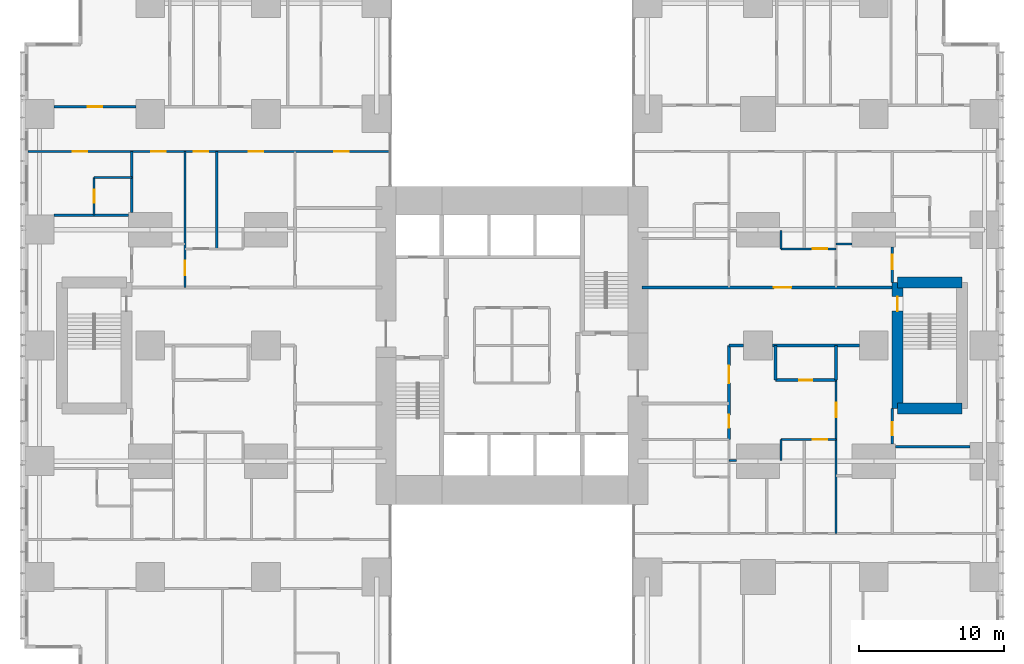
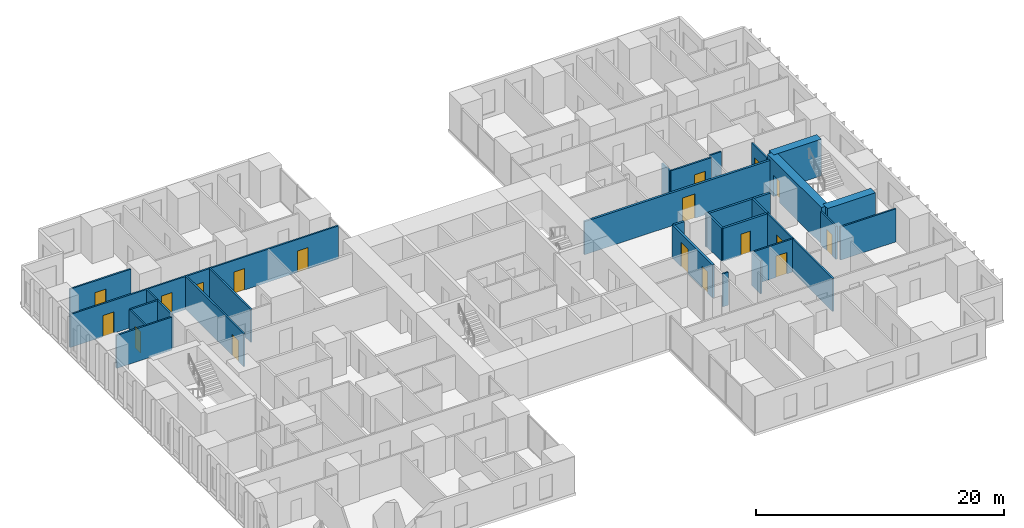
# One storey, part 16 of 20: 28 walls, 18 doors, 18 openings.
"""IFC4 building model written with IfcOpenShell, lengths in metres."""

from ifc_helpers import new_model, si_unit, direction, frame, frame_2d, origin, place, context, subcontext, project, spatial, rectangle, extrude, material, layer, layer_set, type_object, element, fill, save


model = new_model("IFC4")

# Units and contexts
model_context = context("Model", 3, precision=1e-05, world=origin(), true_north=direction((0.0, 1.0)))
body_context = subcontext(model_context, "Body", "Model", "MODEL_VIEW")
ifc_project = project(units=[si_unit("LENGTHUNIT", "METRE"), si_unit("AREAUNIT", "SQUARE_METRE"), si_unit("VOLUMEUNIT", "CUBIC_METRE"), si_unit("PLANEANGLEUNIT", "RADIAN"), si_unit("MASSUNIT", "GRAM", prefix="KILO")], contexts=[model_context])

# Site, building, storey
site_placement = place(None, origin())
site = spatial("IfcSite", under=ifc_project, at=site_placement, CompositionType="ELEMENT")
building_placement = place(site_placement, origin())
building = spatial("IfcBuilding", under=site, at=building_placement, Name="Cleftline Residences", CompositionType="ELEMENT")
storey_placement = place(building_placement, frame((0.0, 0.0, 168.199951171875)))
storey = spatial("IfcBuildingStorey", under=building, at=storey_placement, Name="L44", CompositionType="ELEMENT", Elevation=168.199951171875)

# Wall, opening, door
ifc_material_1 = material(Name="Concrete blockwork, fire rated", Category="masonry")
ifc_layer_1 = layer(ifc_material_1, 0.199951171875)
ifc_layer_set_1 = layer_set([ifc_layer_1], Name="FIRE WALL 200")
wall_type_1 = type_object("IfcWallType", Name="FIRE WALL 200", PredefinedType="PARTITIONING", material=ifc_layer_set_1)
wall_1_placement = place(storey_placement, frame((51.199951171875, 21.60009765625, 0.0), z_axis=(0.0, 0.0, 1.0), x_axis=(1.0, 0.0, 0.0)))
wall_1 = element("IfcWall", 1, at=wall_1_placement, inside=storey, type_object=wall_type_1, Name="Fire separating wall", PredefinedType="PARTITIONING", context=body_context, shape_type="SweptSolid", body=[
    extrude(rectangle(XDim=4.199951171875, YDim=0.199951171875, at=frame_2d((2.10009765625, 0.0))), origin(), (0.0, 0.0, 1.0), 3.25),
])
opening_1_placement = place(wall_1_placement, frame((1.64990234375, 0.0, 0.0)))
opening_1 = element("IfcOpeningElement", 2, at=opening_1_placement, cuts=wall_1, Name="Opening D1F30", PredefinedType="OPENING", context=body_context, shape_type="SweptSolid", body=[
    extrude(rectangle(XDim=0.89990234375, YDim=2.10009765625, at=frame_2d((0.449951171875, 1.050048828125))), frame((0.0, 0.10986328125, 0.0), z_axis=(0.0, -1.0, 0.0), x_axis=(1.0, 0.0, 0.0)), (0.0, 0.0, 1.0), 0.219970703125),
])
ifc_material_2 = material(Name="Timber veneer on solid core", Category="wood")
door_type_1 = type_object("IfcDoorType", Name="DOOR 900X2100 EI 30", OperationType="SINGLE_SWING_LEFT", PredefinedType="DOOR", material=ifc_material_2)
door_1_placement = place(opening_1_placement, origin())
door_1 = element("IfcDoor", 3, at=door_1_placement, inside=storey, type_object=door_type_1, Name="Door to cloakroom wc", OperationType="SINGLE_SWING_LEFT", OverallHeight=2.10009765625, OverallWidth=0.89990234375, PredefinedType="DOOR", context=body_context, shape_type="SweptSolid", body=[
    extrude(rectangle(XDim=0.89990234375, YDim=2.10009765625, at=frame_2d((0.449951171875, 1.050048828125))), frame((0.0, 0.02490234375, 0.0), z_axis=(0.0, -1.0, 0.0), x_axis=(1.0, 0.0, 0.0)), (0.0, 0.0, 1.0), 0.050048828125),
])
fill(opening_1, door_1)

# Walls
wall_2_placement = place(storey_placement, frame((48.0, 24.0, 0.0), z_axis=(0.0, 0.0, 1.0), x_axis=(1.0, 0.0, 0.0)))
element("IfcWall", 4, at=wall_2_placement, inside=storey, type_object=wall_type_1, Name="Fire separating wall", PredefinedType="PARTITIONING", context=body_context, shape_type="SweptSolid", body=[
    extrude(rectangle(XDim=1.0, YDim=0.199951171875, at=frame_2d((0.5, 0.0))), origin(), (0.0, 0.0, 1.0), 3.25),
])
wall_3_placement = place(storey_placement, frame((51.0, 24.0, 0.0), z_axis=(0.0, 0.0, 1.0), x_axis=(1.0, 0.0, 0.0)))
element("IfcWall", 5, at=wall_3_placement, inside=storey, type_object=wall_type_1, Name="Fire separating wall", PredefinedType="PARTITIONING", context=body_context, shape_type="SweptSolid", body=[
    extrude(rectangle(XDim=6.0, YDim=0.199951171875, at=frame_2d((3.0, 0.0))), origin(), (0.0, 0.0, 1.0), 3.25),
])

# Wall, opening, door
wall_4_placement = place(storey_placement, frame((42.0, 28.0, 0.0), z_axis=(0.0, 0.0, 1.0), x_axis=(1.0, 0.0, 0.0)))
wall_4 = element("IfcWall", 6, at=wall_4_placement, inside=storey, type_object=wall_type_1, Name="Fire separating wall", PredefinedType="PARTITIONING", context=body_context, shape_type="SweptSolid", body=[
    extrude(rectangle(XDim=17.27490234375, YDim=0.199951171875, at=frame_2d((8.637451171875, 0.0))), origin(), (0.0, 0.0, 1.0), 3.25),
])
opening_2_placement = place(wall_4_placement, frame((9.10009765625, 0.0, 0.0)))
opening_2 = element("IfcOpeningElement", 7, at=opening_2_placement, cuts=wall_4, Name="Opening D4", PredefinedType="OPENING", context=body_context, shape_type="SweptSolid", body=[
    extrude(rectangle(XDim=1.199951171875, YDim=2.39990234375, at=frame_2d((0.60009765625, 1.199951171875))), frame((0.0, 0.10986328125, 0.0), z_axis=(0.0, -1.0, 0.0), x_axis=(1.0, 0.0, 0.0)), (0.0, 0.0, 1.0), 0.219970703125),
])
ifc_material_3 = material(Name="Timber veneer on solid core", Category="wood")
door_type_2 = type_object("IfcDoorType", Name="APARTMENT ENTRANCE DOOR 1200X2400", OperationType="SINGLE_SWING_RIGHT", PredefinedType="DOOR", material=ifc_material_3)
door_2_placement = place(opening_2_placement, origin())
door_2 = element("IfcDoor", 8, at=door_2_placement, inside=storey, type_object=door_type_2, Name="Door to residence entrance (gallery)", OperationType="SINGLE_SWING_LEFT", OverallHeight=2.39990234375, OverallWidth=1.199951171875, PredefinedType="DOOR", context=body_context, shape_type="SweptSolid", body=[
    extrude(rectangle(XDim=1.199951171875, YDim=2.39990234375, at=frame_2d((0.60009765625, 1.199951171875))), frame((0.0, 0.02490234375, 0.0), z_axis=(0.0, -1.0, 0.0), x_axis=(1.0, 0.0, 0.0)), (0.0, 0.0, 1.0), 0.050048828125),
])
fill(opening_2, door_2)

# Wall, openings, doors
wall_5_placement = place(storey_placement, frame((48.0, 17.5, 0.0), z_axis=(0.0, 0.0, 1.0), x_axis=(0.0, 1.0, 0.0)))
wall_5 = element("IfcWall", 9, at=wall_5_placement, inside=storey, type_object=wall_type_1, Name="Fire separating wall", PredefinedType="PARTITIONING", context=body_context, shape_type="SweptSolid", body=[
    extrude(rectangle(XDim=6.5, YDim=0.199951171875, at=frame_2d((3.25, 0.0))), origin(), (0.0, 0.0, 1.0), 3.25),
])
opening_3_placement = place(wall_5_placement, frame((3.89990234375, 0.0, 0.0)))
opening_3 = element("IfcOpeningElement", 10, at=opening_3_placement, cuts=wall_5, Name="Opening D4", PredefinedType="OPENING", context=body_context, shape_type="SweptSolid", body=[
    extrude(rectangle(XDim=1.199951171875, YDim=2.39990234375, at=frame_2d((0.60009765625, 1.199951171875))), frame((0.0, 0.10986328125, 0.0), z_axis=(0.0, -1.0, 0.0), x_axis=(1.0, 0.0, 0.0)), (0.0, 0.0, 1.0), 0.219970703125),
])
opening_4_placement = place(wall_5_placement, frame((0.800048828125, 0.0, 0.0)))
opening_4 = element("IfcOpeningElement", 11, at=opening_4_placement, cuts=wall_5, Name="Opening D1F30", PredefinedType="OPENING", context=body_context, shape_type="SweptSolid", body=[
    extrude(rectangle(XDim=0.89990234375, YDim=2.10009765625, at=frame_2d((0.449951171875, 1.050048828125))), frame((0.0, 0.10986328125, 0.0), z_axis=(0.0, -1.0, 0.0), x_axis=(1.0, 0.0, 0.0)), (0.0, 0.0, 1.0), 0.219970703125),
])
door_3_placement = place(opening_3_placement, origin())
door_3 = element("IfcDoor", 12, at=door_3_placement, inside=storey, type_object=door_type_2, Name="Door to residence entrance foyer", OperationType="SINGLE_SWING_LEFT", OverallHeight=2.39990234375, OverallWidth=1.199951171875, PredefinedType="DOOR", context=body_context, shape_type="SweptSolid", body=[
    extrude(rectangle(XDim=1.199951171875, YDim=2.39990234375, at=frame_2d((0.60009765625, 1.199951171875))), frame((0.0, 0.02490234375, 0.0), z_axis=(0.0, -1.0, 0.0), x_axis=(1.0, 0.0, 0.0)), (0.0, 0.0, 1.0), 0.050048828125),
])
fill(opening_3, door_3)
door_4_placement = place(opening_4_placement, origin())
door_4 = element("IfcDoor", 13, at=door_4_placement, inside=storey, type_object=door_type_1, Name="Door to utility room", OperationType="SINGLE_SWING_RIGHT", OverallHeight=2.10009765625, OverallWidth=0.89990234375, PredefinedType="DOOR", context=body_context, shape_type="SweptSolid", body=[
    extrude(rectangle(XDim=0.89990234375, YDim=2.10009765625, at=frame_2d((0.449951171875, 1.050048828125))), frame((0.0, 0.02490234375, 0.0), z_axis=(0.0, -1.0, 0.0), x_axis=(1.0, 0.0, 0.0)), (0.0, 0.0, 1.0), 0.050048828125),
])
fill(opening_4, door_4)

# Walls
for number, where, z_axis, x_axis, name in (
    (14, (51.199951171875, 21.60009765625, 0.0), (0.0, 0.0, 1.0), (0.0, 1.0, 0.0), "Fire separating wall"),
    (15, (55.39990234375, 21.60009765625, 0.0), (0.0, 0.0, 1.0), (0.0, 1.0, 0.0), "Fire separating wall"),
):
    element("IfcWall", number, at=place(storey_placement, frame(where, z_axis=z_axis, x_axis=x_axis)), inside=storey, type_object=wall_type_1, Name=name, PredefinedType="PARTITIONING", context=body_context, shape_type="SweptSolid", body=[
        extrude(rectangle(XDim=2.39990234375, YDim=0.199951171875, at=frame_2d((1.199951171875, 0.0))), origin(), (0.0, 0.0, 1.0), 3.25),
    ])
ifc_material_4 = material(Name="Gypsum board on steel studs", Category="steel")
ifc_layer_2 = layer(ifc_material_4, 0.14990234375)
ifc_layer_set_2 = layer_set([ifc_layer_2], Name="PARTITION 150")
wall_type_2 = type_object("IfcWallType", Name="PARTITION 150", PredefinedType="PARTITIONING", material=ifc_layer_set_2)
wall_6_placement = place(storey_placement, frame((48.0, 16.050048828125, 0.0), z_axis=(0.0, 0.0, 1.0), x_axis=(1.0, 0.0, 0.0)))
element("IfcWall", 16, at=wall_6_placement, inside=storey, type_object=wall_type_2, Name="Partition", PredefinedType="PARTITIONING", context=body_context, shape_type="SweptSolid", body=[
    extrude(rectangle(XDim=0.5, YDim=0.14990234375, at=frame_2d((0.25, 0.0))), origin(), (0.0, 0.0, 1.0), 3.25),
])
wall_7_placement = place(storey_placement, frame((59.5, 17.0, 0.0), z_axis=(0.0, 0.0, 1.0), x_axis=(1.0, 0.0, 0.0)))
element("IfcWall", 17, at=wall_7_placement, inside=storey, type_object=wall_type_2, Name="Partition", PredefinedType="PARTITIONING", context=body_context, shape_type="SweptSolid", body=[
    extrude(rectangle(XDim=5.14990234375, YDim=0.14990234375, at=frame_2d((2.574951171875, 0.0))), origin(), (0.0, 0.0, 1.0), 3.25),
])

# Wall, opening, door
wall_8_placement = place(storey_placement, frame((51.60009765625, 17.5, 0.0), z_axis=(0.0, 0.0, 1.0), x_axis=(1.0, 0.0, 0.0)))
wall_8 = element("IfcWall", 18, at=wall_8_placement, inside=storey, type_object=wall_type_2, Name="Partition", PredefinedType="PARTITIONING", context=body_context, shape_type="SweptSolid", body=[
    extrude(rectangle(XDim=3.7998046875, YDim=0.14990234375, at=frame_2d((1.89990234375, 0.0))), origin(), (0.0, 0.0, 1.0), 3.25),
])
opening_5_placement = place(wall_8_placement, frame((2.199951171875, 0.0, 0.0)))
opening_5 = element("IfcOpeningElement", 19, at=opening_5_placement, cuts=wall_8, Name="Opening D2", PredefinedType="OPENING", context=body_context, shape_type="SweptSolid", body=[
    extrude(rectangle(XDim=1.0, YDim=2.10009765625, at=frame_2d((0.5, 1.050048828125))), frame((0.0, 0.0849609375, 0.0), z_axis=(0.0, -1.0, 0.0), x_axis=(1.0, 0.0, 0.0)), (0.0, 0.0, 1.0), 0.169921875),
])
ifc_material_5 = material(Name="Timber veneer on solid core", Category="wood")
door_type_3 = type_object("IfcDoorType", Name="DOOR 1000X2100", OperationType="SINGLE_SWING_LEFT", PredefinedType="DOOR", material=ifc_material_5)
door_5_placement = place(opening_5_placement, origin())
door_5 = element("IfcDoor", 20, at=door_5_placement, inside=storey, type_object=door_type_3, Name="Door to residence passage", OperationType="SINGLE_SWING_LEFT", OverallHeight=2.10009765625, OverallWidth=1.0, PredefinedType="DOOR", context=body_context, shape_type="SweptSolid", body=[
    extrude(rectangle(XDim=1.0, YDim=2.10009765625, at=frame_2d((0.5, 1.050048828125))), frame((0.0, 0.02490234375, 0.0), z_axis=(0.0, -1.0, 0.0), x_axis=(1.0, 0.0, 0.0)), (0.0, 0.0, 1.0), 0.050048828125),
])
fill(opening_5, door_5)

wall_9_placement = place(storey_placement, frame((51.60009765625, 30.675048828125, 0.0), z_axis=(0.0, 0.0, 1.0), x_axis=(1.0, 0.0, 0.0)))
wall_9 = element("IfcWall", 21, at=wall_9_placement, inside=storey, type_object=wall_type_2, Name="Partition", PredefinedType="PARTITIONING", context=body_context, shape_type="SweptSolid", body=[
    extrude(rectangle(XDim=3.7998046875, YDim=0.14990234375, at=frame_2d((1.89990234375, 0.0))), origin(), (0.0, 0.0, 1.0), 3.25),
])
opening_6_placement = place(wall_9_placement, frame((2.199951171875, 0.0, 0.0)))
opening_6 = element("IfcOpeningElement", 22, at=opening_6_placement, cuts=wall_9, Name="Opening D2", PredefinedType="OPENING", context=body_context, shape_type="SweptSolid", body=[
    extrude(rectangle(XDim=1.0, YDim=2.10009765625, at=frame_2d((0.5, 1.050048828125))), frame((0.0, 0.0849609375, 0.0), z_axis=(0.0, -1.0, 0.0), x_axis=(1.0, 0.0, 0.0)), (0.0, 0.0, 1.0), 0.169921875),
])
door_6_placement = place(opening_6_placement, origin())
door_6 = element("IfcDoor", 23, at=door_6_placement, inside=storey, type_object=door_type_3, Name="Door to residence passage", OperationType="SINGLE_SWING_LEFT", OverallHeight=2.10009765625, OverallWidth=1.0, PredefinedType="DOOR", context=body_context, shape_type="SweptSolid", body=[
    extrude(rectangle(XDim=1.0, YDim=2.10009765625, at=frame_2d((0.5, 1.050048828125))), frame((0.0, 0.02490234375, 0.0), z_axis=(0.0, -1.0, 0.0), x_axis=(1.0, 0.0, 0.0)), (0.0, 0.0, 1.0), 0.050048828125),
])
fill(opening_6, door_6)

# Walls
wall_10_placement = place(storey_placement, frame((55.39990234375, 31.0, 0.0), z_axis=(0.0, 0.0, 1.0), x_axis=(1.0, 0.0, 0.0)))
element("IfcWall", 24, at=wall_10_placement, inside=storey, type_object=wall_type_2, Name="Partition", PredefinedType="PARTITIONING", context=body_context, shape_type="SweptSolid", body=[
    extrude(rectangle(XDim=1.10009765625, YDim=0.14990234375, at=frame_2d((0.550048828125, 0.0))), origin(), (0.0, 0.0, 1.0), 3.25),
])
wall_11_placement = place(storey_placement, frame((1.35009765625, 33.0, 0.0), z_axis=(0.0, 0.0, 1.0), x_axis=(1.0, 0.0, 0.0)))
element("IfcWall", 25, at=wall_11_placement, inside=storey, type_object=wall_type_2, Name="Partition", PredefinedType="PARTITIONING", context=body_context, shape_type="SweptSolid", body=[
    extrude(rectangle(XDim=5.14990234375, YDim=0.14990234375, at=frame_2d((2.574951171875, 0.0))), origin(), (0.0, 0.0, 1.0), 3.25),
])
wall_12_placement = place(storey_placement, frame((4.125, 35.60009765625, 0.0), z_axis=(0.0, 0.0, 1.0), x_axis=(1.0, 0.0, 0.0)))
element("IfcWall", 26, at=wall_12_placement, inside=storey, type_object=wall_type_2, Name="Partition", PredefinedType="PARTITIONING", context=body_context, shape_type="SweptSolid", body=[
    extrude(rectangle(XDim=2.60009765625, YDim=0.14990234375, at=frame_2d((1.300048828125, 0.0))), origin(), (0.0, 0.0, 1.0), 3.25),
])

# Wall, openings, doors
wall_13_placement = place(storey_placement, frame((-0.449951171875, 37.39990234375, 0.0), z_axis=(0.0, 0.0, 1.0), x_axis=(1.0, 0.0, 0.0)))
wall_13 = element("IfcWall", 27, at=wall_13_placement, inside=storey, type_object=wall_type_2, Name="Partition", PredefinedType="PARTITIONING", context=body_context, shape_type="SweptSolid", body=[
    extrude(rectangle(XDim=25.010986328125, YDim=0.14990234375, at=frame_2d((12.50537109375, 0.0))), origin(), (0.0, 0.0, 1.0), 3.25),
])
opening_7_placement = place(wall_13_placement, frame((11.449951171875, 0.0, 0.0)))
opening_7 = element("IfcOpeningElement", 28, at=opening_7_placement, cuts=wall_13, Name="Opening D2", PredefinedType="OPENING", context=body_context, shape_type="SweptSolid", body=[
    extrude(rectangle(XDim=1.0, YDim=2.10009765625, at=frame_2d((0.5, 1.050048828125))), frame((0.0, 0.0849609375, 0.0), z_axis=(0.0, -1.0, 0.0), x_axis=(1.0, 0.0, 0.0)), (0.0, 0.0, 1.0), 0.169921875),
])
opening_8_placement = place(wall_13_placement, frame((3.08740234375, 0.0, 0.0)))
opening_8 = element("IfcOpeningElement", 29, at=opening_8_placement, cuts=wall_13, Name="Opening D2", PredefinedType="OPENING", context=body_context, shape_type="SweptSolid", body=[
    extrude(rectangle(XDim=1.0, YDim=2.10009765625, at=frame_2d((0.5, 1.050048828125))), frame((0.0, 0.0849609375, 0.0), z_axis=(0.0, -1.0, 0.0), x_axis=(1.0, 0.0, 0.0)), (0.0, 0.0, 1.0), 0.169921875),
])
opening_9_placement = place(wall_13_placement, frame((8.512451171875, 0.0, 0.0)))
opening_9 = element("IfcOpeningElement", 30, at=opening_9_placement, cuts=wall_13, Name="Opening D2", PredefinedType="OPENING", context=body_context, shape_type="SweptSolid", body=[
    extrude(rectangle(XDim=1.0, YDim=2.10009765625, at=frame_2d((0.5, 1.050048828125))), frame((0.0, 0.0849609375, 0.0), z_axis=(0.0, -1.0, 0.0), x_axis=(1.0, 0.0, 0.0)), (0.0, 0.0, 1.0), 0.169921875),
])
opening_10_placement = place(wall_13_placement, frame((15.25, 0.0, 0.0)))
opening_10 = element("IfcOpeningElement", 31, at=opening_10_placement, cuts=wall_13, Name="Opening D2", PredefinedType="OPENING", context=body_context, shape_type="SweptSolid", body=[
    extrude(rectangle(XDim=1.0, YDim=2.10009765625, at=frame_2d((0.5, 1.050048828125))), frame((0.0, 0.0849609375, 0.0), z_axis=(0.0, -1.0, 0.0), x_axis=(1.0, 0.0, 0.0)), (0.0, 0.0, 1.0), 0.169921875),
])
opening_11_placement = place(wall_13_placement, frame((21.175048828125, 0.0, 0.0)))
opening_11 = element("IfcOpeningElement", 32, at=opening_11_placement, cuts=wall_13, Name="Opening D2", PredefinedType="OPENING", context=body_context, shape_type="SweptSolid", body=[
    extrude(rectangle(XDim=1.0, YDim=2.10009765625, at=frame_2d((0.5, 1.050048828125))), frame((0.0, 0.0849609375, 0.0), z_axis=(0.0, -1.0, 0.0), x_axis=(1.0, 0.0, 0.0)), (0.0, 0.0, 1.0), 0.169921875),
])
door_7_placement = place(opening_7_placement, origin())
door_7 = element("IfcDoor", 33, at=door_7_placement, inside=storey, type_object=door_type_3, Name="Door to residence hall", OperationType="SINGLE_SWING_RIGHT", OverallHeight=2.10009765625, OverallWidth=1.0, PredefinedType="DOOR", context=body_context, shape_type="SweptSolid", body=[
    extrude(rectangle(XDim=1.0, YDim=2.10009765625, at=frame_2d((0.5, 1.050048828125))), frame((0.0, 0.02490234375, 0.0), z_axis=(0.0, -1.0, 0.0), x_axis=(1.0, 0.0, 0.0)), (0.0, 0.0, 1.0), 0.050048828125),
])
fill(opening_7, door_7)
door_8_placement = place(opening_8_placement, origin())
door_8 = element("IfcDoor", 34, at=door_8_placement, inside=storey, type_object=door_type_3, Name="Door to master bedroom", OperationType="SINGLE_SWING_RIGHT", OverallHeight=2.10009765625, OverallWidth=1.0, PredefinedType="DOOR", context=body_context, shape_type="SweptSolid", body=[
    extrude(rectangle(XDim=1.0, YDim=2.10009765625, at=frame_2d((0.5, 1.050048828125))), frame((0.0, 0.02490234375, 0.0), z_axis=(0.0, -1.0, 0.0), x_axis=(1.0, 0.0, 0.0)), (0.0, 0.0, 1.0), 0.050048828125),
])
fill(opening_8, door_8)
door_9_placement = place(opening_9_placement, origin())
door_9 = element("IfcDoor", 35, at=door_9_placement, inside=storey, type_object=door_type_3, Name="Door to show kitchen", OperationType="SINGLE_SWING_RIGHT", OverallHeight=2.10009765625, OverallWidth=1.0, PredefinedType="DOOR", context=body_context, shape_type="SweptSolid", body=[
    extrude(rectangle(XDim=1.0, YDim=2.10009765625, at=frame_2d((0.5, 1.050048828125))), frame((0.0, 0.02490234375, 0.0), z_axis=(0.0, -1.0, 0.0), x_axis=(1.0, 0.0, 0.0)), (0.0, 0.0, 1.0), 0.050048828125),
])
fill(opening_9, door_9)
door_10_placement = place(opening_10_placement, origin())
door_10 = element("IfcDoor", 36, at=door_10_placement, inside=storey, type_object=door_type_3, Name="Door to dining room", OperationType="SINGLE_SWING_LEFT", OverallHeight=2.10009765625, OverallWidth=1.0, PredefinedType="DOOR", context=body_context, shape_type="SweptSolid", body=[
    extrude(rectangle(XDim=1.0, YDim=2.10009765625, at=frame_2d((0.5, 1.050048828125))), frame((0.0, 0.02490234375, 0.0), z_axis=(0.0, -1.0, 0.0), x_axis=(1.0, 0.0, 0.0)), (0.0, 0.0, 1.0), 0.050048828125),
])
fill(opening_10, door_10)
door_11_placement = place(opening_11_placement, origin())
door_11 = element("IfcDoor", 37, at=door_11_placement, inside=storey, type_object=door_type_3, Name="Door to wet kitchen", OperationType="SINGLE_SWING_LEFT", OverallHeight=2.10009765625, OverallWidth=1.0, PredefinedType="DOOR", context=body_context, shape_type="SweptSolid", body=[
    extrude(rectangle(XDim=1.0, YDim=2.10009765625, at=frame_2d((0.5, 1.050048828125))), frame((0.0, 0.02490234375, 0.0), z_axis=(0.0, -1.0, 0.0), x_axis=(1.0, 0.0, 0.0)), (0.0, 0.0, 1.0), 0.050048828125),
])
fill(opening_11, door_11)

# Wall, opening, door
wall_14_placement = place(storey_placement, frame((1.35009765625, 40.5, 0.0), z_axis=(0.0, 0.0, 1.0), x_axis=(1.0, 0.0, 0.0)))
wall_14 = element("IfcWall", 38, at=wall_14_placement, inside=storey, type_object=wall_type_2, Name="Partition", PredefinedType="PARTITIONING", context=body_context, shape_type="SweptSolid", body=[
    extrude(rectangle(XDim=5.64990234375, YDim=0.14990234375, at=frame_2d((2.824951171875, 0.0))), origin(), (0.0, 0.0, 1.0), 3.25),
])
opening_12_placement = place(wall_14_placement, frame((2.324951171875, 0.0, 0.0)))
opening_12 = element("IfcOpeningElement", 39, at=opening_12_placement, cuts=wall_14, Name="Opening D2", PredefinedType="OPENING", context=body_context, shape_type="SweptSolid", body=[
    extrude(rectangle(XDim=1.0, YDim=2.10009765625, at=frame_2d((0.5, 1.050048828125))), frame((0.0, 0.0849609375, 0.0), z_axis=(0.0, -1.0, 0.0), x_axis=(1.0, 0.0, 0.0)), (0.0, 0.0, 1.0), 0.169921875),
])
door_12_placement = place(opening_12_placement, origin())
door_12 = element("IfcDoor", 40, at=door_12_placement, inside=storey, type_object=door_type_3, Name="Door to living room", OperationType="SINGLE_SWING_LEFT", OverallHeight=2.10009765625, OverallWidth=1.0, PredefinedType="DOOR", context=body_context, shape_type="SweptSolid", body=[
    extrude(rectangle(XDim=1.0, YDim=2.10009765625, at=frame_2d((0.5, 1.050048828125))), frame((0.0, 0.02490234375, 0.0), z_axis=(0.0, -1.0, 0.0), x_axis=(1.0, 0.0, 0.0)), (0.0, 0.0, 1.0), 0.050048828125),
])
fill(opening_12, door_12)

wall_15_placement = place(storey_placement, frame((4.125, 33.0, 0.0), z_axis=(0.0, 0.0, 1.0), x_axis=(0.0, 1.0, 0.0)))
wall_15 = element("IfcWall", 41, at=wall_15_placement, inside=storey, type_object=wall_type_2, Name="Partition", PredefinedType="PARTITIONING", context=body_context, shape_type="SweptSolid", body=[
    extrude(rectangle(XDim=2.60009765625, YDim=0.14990234375, at=frame_2d((1.300048828125, 0.0))), origin(), (0.0, 0.0, 1.0), 3.25),
])
opening_13_placement = place(wall_15_placement, frame((0.85009765625, 0.0, 0.0)))
opening_13 = element("IfcOpeningElement", 42, at=opening_13_placement, cuts=wall_15, Name="Opening D1", PredefinedType="OPENING", context=body_context, shape_type="SweptSolid", body=[
    extrude(rectangle(XDim=0.89990234375, YDim=2.10009765625, at=frame_2d((0.449951171875, 1.050048828125))), frame((0.0, 0.0849609375, 0.0), z_axis=(0.0, -1.0, 0.0), x_axis=(1.0, 0.0, 0.0)), (0.0, 0.0, 1.0), 0.169921875),
])
ifc_material_6 = material(Name="Timber veneer on solid core", Category="wood")
door_type_4 = type_object("IfcDoorType", Name="DOOR 900X2100", OperationType="SINGLE_SWING_LEFT", PredefinedType="DOOR", material=ifc_material_6)
door_13_placement = place(opening_13_placement, origin())
door_13 = element("IfcDoor", 43, at=door_13_placement, inside=storey, type_object=door_type_4, Name="Door to master bathroom", OperationType="SINGLE_SWING_LEFT", OverallHeight=2.10009765625, OverallWidth=0.89990234375, PredefinedType="DOOR", context=body_context, shape_type="SweptSolid", body=[
    extrude(rectangle(XDim=0.89990234375, YDim=2.10009765625, at=frame_2d((0.449951171875, 1.050048828125))), frame((0.0, 0.02490234375, 0.0), z_axis=(0.0, -1.0, 0.0), x_axis=(1.0, 0.0, 0.0)), (0.0, 0.0, 1.0), 0.050048828125),
])
fill(opening_13, door_13)

# Wall
wall_16_placement = place(storey_placement, frame((6.72509765625, 33.199951171875, 0.0), z_axis=(0.0, 0.0, 1.0), x_axis=(0.0, 1.0, 0.0)))
element("IfcWall", 44, at=wall_16_placement, inside=storey, type_object=wall_type_2, Name="Partition", PredefinedType="PARTITIONING", context=body_context, shape_type="SweptSolid", body=[
    extrude(rectangle(XDim=4.199951171875, YDim=0.14990234375, at=frame_2d((2.10009765625, 0.0))), origin(), (0.0, 0.0, 1.0), 3.25),
])

# Wall, opening, door
wall_17_placement = place(storey_placement, frame((10.39990234375, 28.0, 0.0), z_axis=(0.0, 0.0, 1.0), x_axis=(0.0, 1.0, 0.0)))
wall_17 = element("IfcWall", 45, at=wall_17_placement, inside=storey, type_object=wall_type_2, Name="Partition", PredefinedType="PARTITIONING", context=body_context, shape_type="SweptSolid", body=[
    extrude(rectangle(XDim=9.39990234375, YDim=0.14990234375, at=frame_2d((4.699951171875, 0.0))), origin(), (0.0, 0.0, 1.0), 3.25),
])
opening_14_placement = place(wall_17_placement, frame((0.83740234375, 0.0, 0.0)))
opening_14 = element("IfcOpeningElement", 46, at=opening_14_placement, cuts=wall_17, Name="Opening D2F30", PredefinedType="OPENING", context=body_context, shape_type="SweptSolid", body=[
    extrude(rectangle(XDim=1.0, YDim=2.10009765625, at=frame_2d((0.5, 1.050048828125))), frame((0.0, 0.0849609375, 0.0), z_axis=(0.0, -1.0, 0.0), x_axis=(1.0, 0.0, 0.0)), (0.0, 0.0, 1.0), 0.169921875),
])
ifc_material_7 = material(Name="Timber veneer on solid core", Category="wood")
door_type_5 = type_object("IfcDoorType", Name="DOOR 1000X2100 EI 30", OperationType="SINGLE_SWING_LEFT", PredefinedType="DOOR", material=ifc_material_7)
door_14_placement = place(opening_14_placement, origin())
door_14 = element("IfcDoor", 47, at=door_14_placement, inside=storey, type_object=door_type_5, Name="Door to residence lobby (service)", OperationType="SINGLE_SWING_RIGHT", OverallHeight=2.10009765625, OverallWidth=1.0, PredefinedType="DOOR", context=body_context, shape_type="SweptSolid", body=[
    extrude(rectangle(XDim=1.0, YDim=2.10009765625, at=frame_2d((0.5, 1.050048828125))), frame((0.0, 0.02490234375, 0.0), z_axis=(0.0, -1.0, 0.0), x_axis=(1.0, 0.0, 0.0)), (0.0, 0.0, 1.0), 0.050048828125),
])
fill(opening_14, door_14)

# Walls
wall_18_placement = place(storey_placement, frame((12.60009765625, 30.675048828125, 0.0), z_axis=(0.0, 0.0, 1.0), x_axis=(0.0, 1.0, 0.0)))
element("IfcWall", 48, at=wall_18_placement, inside=storey, type_object=wall_type_2, Name="Partition", PredefinedType="PARTITIONING", context=body_context, shape_type="SweptSolid", body=[
    extrude(rectangle(XDim=6.724853515625, YDim=0.14990234375, at=frame_2d((3.3623046875, 0.0))), origin(), (0.0, 0.0, 1.0), 3.25),
])
wall_19_placement = place(storey_placement, frame((51.60009765625, 16.050048828125, 0.0), z_axis=(0.0, 0.0, 1.0), x_axis=(0.0, 1.0, 0.0)))
element("IfcWall", 49, at=wall_19_placement, inside=storey, type_object=wall_type_2, Name="Partition", PredefinedType="PARTITIONING", context=body_context, shape_type="SweptSolid", body=[
    extrude(rectangle(XDim=1.449951171875, YDim=0.14990234375, at=frame_2d((0.72509765625, 0.0))), origin(), (0.0, 0.0, 1.0), 3.25),
])
wall_20_placement = place(storey_placement, frame((51.60009765625, 30.675048828125, 0.0), z_axis=(0.0, 0.0, 1.0), x_axis=(0.0, 1.0, 0.0)))
element("IfcWall", 50, at=wall_20_placement, inside=storey, type_object=wall_type_2, Name="Partition", PredefinedType="PARTITIONING", context=body_context, shape_type="SweptSolid", body=[
    extrude(rectangle(XDim=1.27490234375, YDim=0.14990234375, at=frame_2d((0.637451171875, 0.0))), origin(), (0.0, 0.0, 1.0), 3.25),
])

# Wall, opening, door
wall_21_placement = place(storey_placement, frame((55.39990234375, 11.0, 0.0), z_axis=(0.0, 0.0, 1.0), x_axis=(0.0, 1.0, 0.0)))
wall_21 = element("IfcWall", 51, at=wall_21_placement, inside=storey, type_object=wall_type_2, Name="Partition", PredefinedType="PARTITIONING", context=body_context, shape_type="SweptSolid", body=[
    extrude(rectangle(XDim=10.60009765625, YDim=0.14990234375, at=frame_2d((5.300048828125, 0.0))), origin(), (0.0, 0.0, 1.0), 3.25),
])
opening_15_placement = place(wall_21_placement, frame((8.050048828125, 0.0, 0.0)))
opening_15 = element("IfcOpeningElement", 52, at=opening_15_placement, cuts=wall_21, Name="Opening D2F30", PredefinedType="OPENING", context=body_context, shape_type="SweptSolid", body=[
    extrude(rectangle(XDim=1.0, YDim=2.10009765625, at=frame_2d((0.5, 1.050048828125))), frame((0.0, 0.0849609375, 0.0), z_axis=(0.0, -1.0, 0.0), x_axis=(1.0, 0.0, 0.0)), (0.0, 0.0, 1.0), 0.169921875),
])
door_15_placement = place(opening_15_placement, origin())
door_15 = element("IfcDoor", 53, at=door_15_placement, inside=storey, type_object=door_type_5, Name="Door to residence lobby", OperationType="SINGLE_SWING_LEFT", OverallHeight=2.10009765625, OverallWidth=1.0, PredefinedType="DOOR", context=body_context, shape_type="SweptSolid", body=[
    extrude(rectangle(XDim=1.0, YDim=2.10009765625, at=frame_2d((0.5, 1.050048828125))), frame((0.0, 0.02490234375, 0.0), z_axis=(0.0, -1.0, 0.0), x_axis=(1.0, 0.0, 0.0)), (0.0, 0.0, 1.0), 0.050048828125),
])
fill(opening_15, door_15)

wall_22_placement = place(storey_placement, frame((59.27490234375, 17.199951171875, 0.0), z_axis=(0.0, 0.0, 1.0), x_axis=(0.0, 1.0, 0.0)))
wall_22 = element("IfcWall", 54, at=wall_22_placement, inside=storey, type_object=wall_type_2, Name="Partition", PredefinedType="PARTITIONING", context=body_context, shape_type="SweptSolid", body=[
    extrude(rectangle(XDim=2.449951171875, YDim=0.14990234375, at=frame_2d((1.22509765625, 0.0))), origin(), (0.0, 0.0, 1.0), 3.25),
])
opening_16_placement = place(wall_22_placement, frame((0.58740234375, 0.0, 0.0)))
opening_16 = element("IfcOpeningElement", 55, at=opening_16_placement, cuts=wall_22, Name="Opening D1", PredefinedType="OPENING", context=body_context, shape_type="SweptSolid", body=[
    extrude(rectangle(XDim=0.89990234375, YDim=2.10009765625, at=frame_2d((0.449951171875, 1.050048828125))), frame((0.0, 0.0849609375, 0.0), z_axis=(0.0, -1.0, 0.0), x_axis=(1.0, 0.0, 0.0)), (0.0, 0.0, 1.0), 0.169921875),
])
door_16_placement = place(opening_16_placement, origin())
door_16 = element("IfcDoor", 56, at=door_16_placement, inside=storey, type_object=door_type_4, Name="Door to drying loggia", OperationType="SINGLE_SWING_RIGHT", OverallHeight=2.10009765625, OverallWidth=0.89990234375, PredefinedType="DOOR", context=body_context, shape_type="SweptSolid", body=[
    extrude(rectangle(XDim=0.89990234375, YDim=2.10009765625, at=frame_2d((0.449951171875, 1.050048828125))), frame((0.0, 0.02490234375, 0.0), z_axis=(0.0, -1.0, 0.0), x_axis=(1.0, 0.0, 0.0)), (0.0, 0.0, 1.0), 0.050048828125),
])
fill(opening_16, door_16)

wall_23_placement = place(storey_placement, frame((59.27490234375, 28.35009765625, 0.0), z_axis=(0.0, 0.0, 1.0), x_axis=(0.0, 1.0, 0.0)))
wall_23 = element("IfcWall", 57, at=wall_23_placement, inside=storey, type_object=wall_type_2, Name="Partition", PredefinedType="PARTITIONING", context=body_context, shape_type="SweptSolid", body=[
    extrude(rectangle(XDim=2.449951171875, YDim=0.14990234375, at=frame_2d((1.22509765625, 0.0))), origin(), (0.0, 0.0, 1.0), 3.25),
])
opening_17_placement = place(wall_23_placement, frame((0.91259765625, 0.0, 0.0)))
opening_17 = element("IfcOpeningElement", 58, at=opening_17_placement, cuts=wall_23, Name="Opening D2", PredefinedType="OPENING", context=body_context, shape_type="SweptSolid", body=[
    extrude(rectangle(XDim=1.0, YDim=2.10009765625, at=frame_2d((0.5, 1.050048828125))), frame((0.0, 0.0849609375, 0.0), z_axis=(0.0, -1.0, 0.0), x_axis=(1.0, 0.0, 0.0)), (0.0, 0.0, 1.0), 0.169921875),
])
door_17_placement = place(opening_17_placement, origin())
door_17 = element("IfcDoor", 59, at=door_17_placement, inside=storey, type_object=door_type_3, Name="Door to winter garden", OperationType="SINGLE_SWING_LEFT", OverallHeight=2.10009765625, OverallWidth=1.0, PredefinedType="DOOR", context=body_context, shape_type="SweptSolid", body=[
    extrude(rectangle(XDim=1.0, YDim=2.10009765625, at=frame_2d((0.5, 1.050048828125))), frame((0.0, 0.02490234375, 0.0), z_axis=(0.0, -1.0, 0.0), x_axis=(1.0, 0.0, 0.0)), (0.0, 0.0, 1.0), 0.050048828125),
])
fill(opening_17, door_17)

# Walls
ifc_material_8 = material(Name="Concrete B70", Category="concrete")
ifc_layer_3 = layer(ifc_material_8, 0.75)
ifc_layer_set_3 = layer_set([ifc_layer_3], Name="SHEAR WALL 750")
wall_type_3 = type_object("IfcWallType", Name="SHEAR WALL 750", PredefinedType="SHEAR", material=ifc_layer_set_3)
for number, where, z_axis, x_axis, name in (
    (60, (59.64990234375, 19.64990234375, 0.0), (0.0, 0.0, 1.0), (1.0, 0.0, 0.0), "Wing shear wall"),
    (61, (64.10009765625, 28.35009765625, 0.0), (0.0, 0.0, 1.0), (-1.0, 0.0, 0.0), "Wing shear wall"),
):
    element("IfcWall", number, at=place(storey_placement, frame(where, z_axis=z_axis, x_axis=x_axis)), inside=storey, type_object=wall_type_3, Name=name, PredefinedType="SHEAR", context=body_context, shape_type="SweptSolid", body=[
        extrude(rectangle(XDim=4.4501953125, YDim=0.75, at=frame_2d((2.22509765625, 0.0))), origin(), (0.0, 0.0, 1.0), 3.60009765625),
    ])

# Wall, opening, door
wall_24_placement = place(storey_placement, frame((59.64990234375, 28.35009765625, 0.0), z_axis=(0.0, 0.0, 1.0), x_axis=(0.0, -1.0, 0.0)))
wall_24 = element("IfcWall", 62, at=wall_24_placement, inside=storey, type_object=wall_type_3, Name="Wing shear wall", PredefinedType="SHEAR", context=body_context, shape_type="SweptSolid", body=[
    extrude(rectangle(XDim=8.7001953125, YDim=0.75, at=frame_2d((4.35009765625, 0.0))), origin(), (0.0, 0.0, 1.0), 3.60009765625),
])
opening_18_placement = place(wall_24_placement, frame((0.97509765625, 0.0, 0.0)))
opening_18 = element("IfcOpeningElement", 63, at=opening_18_placement, cuts=wall_24, Name="Opening D5", PredefinedType="OPENING", context=body_context, shape_type="SweptSolid", body=[
    extrude(rectangle(XDim=1.0, YDim=2.10009765625, at=frame_2d((0.5, 1.050048828125))), frame((0.0, 0.385009765625, 0.0), z_axis=(0.0, -1.0, 0.0), x_axis=(1.0, 0.0, 0.0)), (0.0, 0.0, 1.0), 0.77001953125),
])
ifc_material_9 = material(Name="Steel", Category="steel")
door_type_6 = type_object("IfcDoorType", Name="STAIR DOOR 1000X2100", OperationType="SINGLE_SWING_LEFT", PredefinedType="DOOR", material=ifc_material_9)
door_18_placement = place(opening_18_placement, origin())
door_18 = element("IfcDoor", 64, at=door_18_placement, inside=storey, type_object=door_type_6, Name="Stair E door", OperationType="SINGLE_SWING_RIGHT", OverallHeight=2.10009765625, OverallWidth=1.0, PredefinedType="DOOR", context=body_context, shape_type="SweptSolid", body=[
    extrude(rectangle(XDim=1.0, YDim=2.10009765625, at=frame_2d((0.5, 1.050048828125))), frame((0.0, 0.02490234375, 0.0), z_axis=(0.0, -1.0, 0.0), x_axis=(1.0, 0.0, 0.0)), (0.0, 0.0, 1.0), 0.050048828125),
])
fill(opening_18, door_18)

save(model, "model.ifc")
